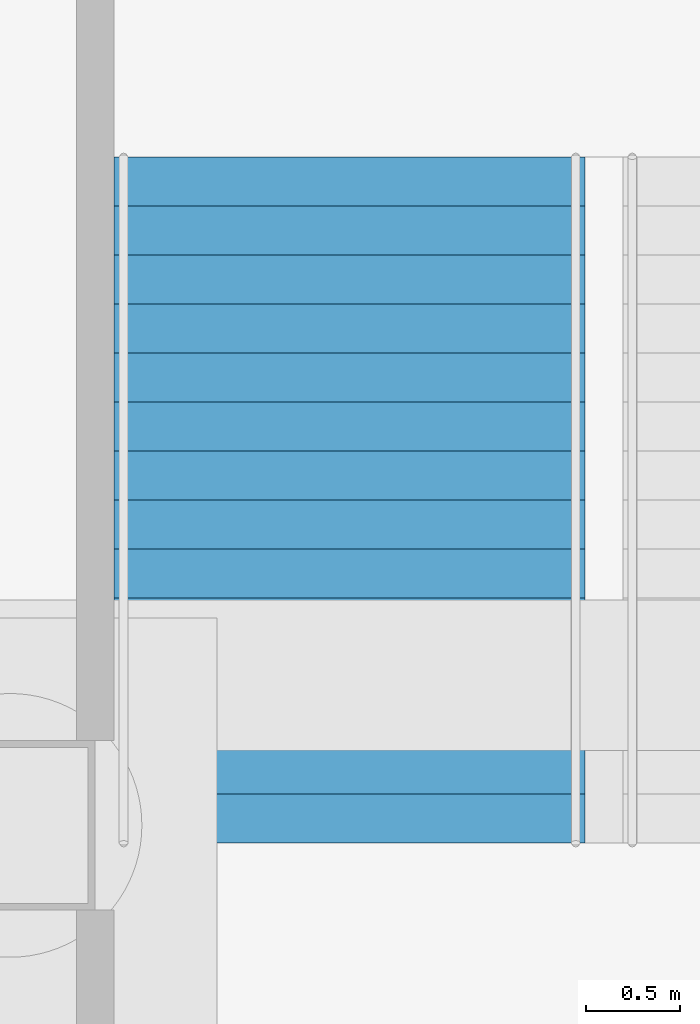
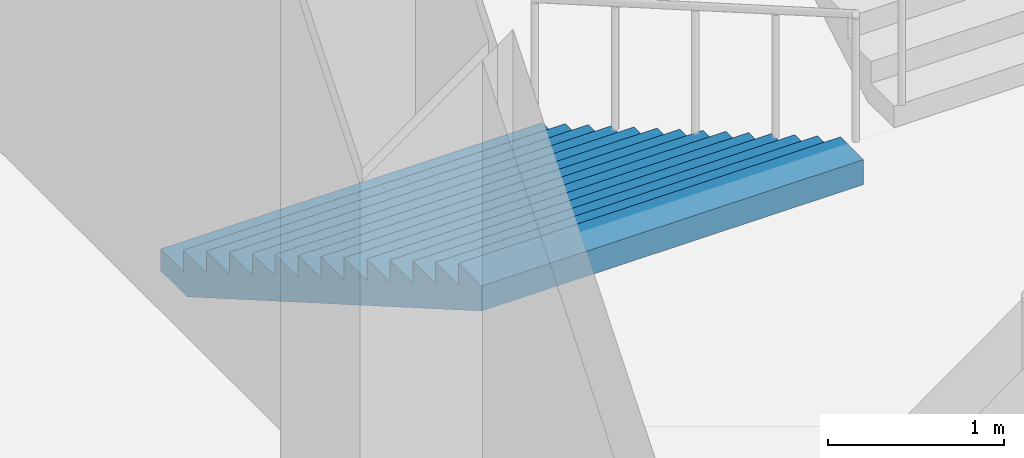
# One storey, part 64 of 113: 1 stair flight, 1 element without a shape of its own.
"""IFC4 building model written with IfcOpenShell, lengths in metres."""

from ifc_helpers import new_model, si_unit, direction, frame, origin, place, context, subcontext, project, spatial, triangles, material, type_object, element, aggregate, save


model = new_model("IFC4")

# Units and contexts
model_context = context("Model", 3, precision=1e-05, world=origin(), true_north=direction((0.0, 1.0)))
body_context = subcontext(model_context, "Body", "Model", "MODEL_VIEW")
ifc_project = project(units=[si_unit("LENGTHUNIT", "METRE"), si_unit("AREAUNIT", "SQUARE_METRE"), si_unit("VOLUMEUNIT", "CUBIC_METRE"), si_unit("PLANEANGLEUNIT", "RADIAN"), si_unit("MASSUNIT", "GRAM", prefix="KILO")], contexts=[model_context])

# Site, building, storey
site_placement = place(None, origin())
site = spatial("IfcSite", under=ifc_project, at=site_placement, CompositionType="ELEMENT")
building_placement = place(site_placement, origin())
building = spatial("IfcBuilding", under=site, at=building_placement, Name="Hakoniwa Tower and Hamabe Station Hall", CompositionType="ELEMENT")
storey_placement = place(building_placement, origin())
storey = spatial("IfcBuildingStorey", under=building, at=storey_placement, Name="L01", CompositionType="ELEMENT", Elevation=0.0)

# Stair, stair flight
ifc_material_1 = material(Name="Concrete C40", Category="concrete")
stair_type = type_object("IfcStairType", Name="STAIR 2500 15X150", PredefinedType="HALF_TURN_STAIR", material=ifc_material_1)
stair_placement = place(storey_placement, origin())
stair = element("IfcStair", 1, at=stair_placement, inside=storey, type_object=stair_type, Name="Escape stair PS1", PredefinedType="HALF_TURN_STAIR")
ifc_material_2 = material(Name="Concrete C40", Category="concrete")
stair_flight_type = type_object("IfcStairFlightType", Name="STAIR FLIGHT 2500", PredefinedType="STRAIGHT", material=ifc_material_2)
stair_flight_placement = place(storey_placement, frame((-47.800048828125, 22.35009765625, 0.0), z_axis=(0.0, 0.0, 1.0), x_axis=(0.0, -1.0, 0.0)))
stair_flight = element("IfcStairFlight", 2, at=stair_flight_placement, type_object=stair_flight_type, Name="PS1 flight 1", NumberOfRisers=15, NumberOfTreads=14, PredefinedType="STRAIGHT", RiserHeight=0.15, TreadLength=0.26, context=body_context, shape_type="Tessellation", body=[
    triangles([(0.0, 1.25, 0.0), (0.260009765625, 1.25, 0.0), (0.300048828125, 1.25, 0.0), (0.52001953125, 1.25, 0.126953125), (0.780029296875, 1.25, 0.27685546875), (1.0400390625, 1.25, 0.427001953125), (1.300048828125, 1.25, 0.576904296875), (1.56005859375, 1.25, 0.72705078125), (1.820068359375, 1.25, 0.876953125), (2.080078125, 1.25, 1.02685546875), (2.340087890625, 1.25, 1.177001953125), (2.60009765625, 1.25, 1.326904296875), (2.860107421875, 1.25, 1.47705078125), (3.1201171875, 1.25, 1.626953125), (3.3798828125, 1.25, 1.77685546875), (3.639892578125, 1.25, 1.927001953125), (3.639892578125, 1.25, 2.10009765625), (3.3798828125, 1.25, 2.10009765625), (3.3798828125, 1.25, 1.949951171875), (3.1201171875, 1.25, 1.949951171875), (3.1201171875, 1.25, 1.800048828125), (2.860107421875, 1.25, 1.800048828125), (2.860107421875, 1.25, 1.64990234375), (2.60009765625, 1.25, 1.64990234375), (2.60009765625, 1.25, 1.5), (2.340087890625, 1.25, 1.5), (2.340087890625, 1.25, 1.35009765625), (2.080078125, 1.25, 1.35009765625), (2.080078125, 1.25, 1.199951171875), (1.820068359375, 1.25, 1.199951171875), (1.820068359375, 1.25, 1.050048828125), (1.56005859375, 1.25, 1.050048828125), (1.56005859375, 1.25, 0.89990234375), (1.300048828125, 1.25, 0.89990234375), (1.300048828125, 1.25, 0.75), (1.0400390625, 1.25, 0.75), (1.0400390625, 1.25, 0.60009765625), (0.780029296875, 1.25, 0.60009765625), (0.780029296875, 1.25, 0.449951171875), (0.52001953125, 1.25, 0.449951171875), (0.52001953125, 1.25, 0.300048828125), (0.300048828125, 1.25, 0.300048828125), (0.260009765625, 1.25, 0.300048828125), (0.260009765625, 1.25, 0.14990234375), (0.0, 1.25, 0.14990234375), (0.0, 0.06005859375, 0.0), (0.260009765625, 0.06005859375, 0.0), (0.300048828125, 0.06005859375, 0.0), (0.52001953125, 0.06005859375, 0.126953125), (0.780029296875, 0.06005859375, 0.27685546875), (1.0400390625, 0.06005859375, 0.427001953125), (1.300048828125, 0.06005859375, 0.576904296875), (1.56005859375, 0.06005859375, 0.72705078125), (1.820068359375, 0.06005859375, 0.876953125), (2.080078125, 0.06005859375, 1.02685546875), (2.340087890625, 0.06005859375, 1.177001953125), (2.60009765625, 0.06005859375, 1.326904296875), (2.860107421875, 0.06005859375, 1.47705078125), (3.1201171875, 0.06005859375, 1.626953125), (3.3798828125, 0.06005859375, 1.77685546875), (3.639892578125, 0.06005859375, 1.927001953125), (3.639892578125, 0.06005859375, 2.10009765625), (3.3798828125, 0.06005859375, 2.10009765625), (3.3798828125, 0.06005859375, 1.949951171875), (3.1201171875, 0.06005859375, 1.949951171875), (3.1201171875, 0.06005859375, 1.800048828125), (2.860107421875, 0.06005859375, 1.800048828125), (2.860107421875, 0.06005859375, 1.64990234375), (2.60009765625, 0.06005859375, 1.64990234375), (2.60009765625, 0.06005859375, 1.5), (2.340087890625, 0.06005859375, 1.5), (2.340087890625, 0.06005859375, 1.35009765625), (2.080078125, 0.06005859375, 1.35009765625), (2.080078125, 0.06005859375, 1.199951171875), (1.820068359375, 0.06005859375, 1.199951171875), (1.820068359375, 0.06005859375, 1.050048828125), (1.56005859375, 0.06005859375, 1.050048828125), (1.56005859375, 0.06005859375, 0.89990234375), (1.300048828125, 0.06005859375, 0.89990234375), (1.300048828125, 0.06005859375, 0.75), (1.0400390625, 0.06005859375, 0.75), (1.0400390625, 0.06005859375, 0.60009765625), (0.780029296875, 0.06005859375, 0.60009765625), (0.780029296875, 0.06005859375, 0.449951171875), (0.52001953125, 0.06005859375, 0.449951171875), (0.52001953125, 0.06005859375, 0.300048828125), (0.300048828125, 0.06005859375, 0.300048828125), (0.260009765625, 0.06005859375, 0.300048828125), (0.260009765625, 0.06005859375, 0.14990234375), (0.0, 0.06005859375, 0.14990234375), (0.0, 0.02001953125, 0.0), (0.260009765625, 0.02001953125, 0.0), (0.300048828125, 0.02001953125, 0.0), (0.52001953125, 0.02001953125, 0.126953125), (0.780029296875, 0.02001953125, 0.27685546875), (1.0400390625, 0.02001953125, 0.427001953125), (1.300048828125, 0.02001953125, 0.576904296875), (1.56005859375, 0.02001953125, 0.72705078125), (1.820068359375, 0.02001953125, 0.876953125), (2.080078125, 0.02001953125, 1.02685546875), (2.340087890625, 0.02001953125, 1.177001953125), (2.60009765625, 0.02001953125, 1.326904296875), (2.860107421875, 0.02001953125, 1.47705078125), (3.1201171875, 0.02001953125, 1.626953125), (3.3798828125, 0.02001953125, 1.77685546875), (3.639892578125, 0.02001953125, 1.927001953125), (3.639892578125, 0.02001953125, 2.10009765625), (3.3798828125, 0.02001953125, 2.10009765625), (3.3798828125, 0.02001953125, 1.949951171875), (3.1201171875, 0.02001953125, 1.949951171875), (3.1201171875, 0.02001953125, 1.800048828125), (2.860107421875, 0.02001953125, 1.800048828125), (2.860107421875, 0.02001953125, 1.64990234375), (2.60009765625, 0.02001953125, 1.64990234375), (2.60009765625, 0.02001953125, 1.5), (2.340087890625, 0.02001953125, 1.5), (2.340087890625, 0.02001953125, 1.35009765625), (2.080078125, 0.02001953125, 1.35009765625), (2.080078125, 0.02001953125, 1.199951171875), (1.820068359375, 0.02001953125, 1.199951171875), (1.820068359375, 0.02001953125, 1.050048828125), (1.56005859375, 0.02001953125, 1.050048828125), (1.56005859375, 0.02001953125, 0.89990234375), (1.300048828125, 0.02001953125, 0.89990234375), (1.300048828125, 0.02001953125, 0.75), (1.0400390625, 0.02001953125, 0.75), (1.0400390625, 0.02001953125, 0.60009765625), (0.780029296875, 0.02001953125, 0.60009765625), (0.780029296875, 0.02001953125, 0.449951171875), (0.52001953125, 0.02001953125, 0.449951171875), (0.52001953125, 0.02001953125, 0.300048828125), (0.300048828125, 0.02001953125, 0.300048828125), (0.260009765625, 0.02001953125, 0.300048828125), (0.260009765625, 0.02001953125, 0.14990234375), (0.0, 0.02001953125, 0.14990234375), (0.0, -0.02001953125, 0.0), (0.260009765625, -0.02001953125, 0.0), (0.300048828125, -0.02001953125, 0.0), (0.52001953125, -0.02001953125, 0.126953125), (0.780029296875, -0.02001953125, 0.27685546875), (1.0400390625, -0.02001953125, 0.427001953125), (1.300048828125, -0.02001953125, 0.576904296875), (1.56005859375, -0.02001953125, 0.72705078125), (1.820068359375, -0.02001953125, 0.876953125), (2.080078125, -0.02001953125, 1.02685546875), (2.340087890625, -0.02001953125, 1.177001953125), (2.60009765625, -0.02001953125, 1.326904296875), (2.860107421875, -0.02001953125, 1.47705078125), (3.1201171875, -0.02001953125, 1.626953125), (3.3798828125, -0.02001953125, 1.77685546875), (3.639892578125, -0.02001953125, 1.927001953125), (3.639892578125, -0.02001953125, 2.10009765625), (3.3798828125, -0.02001953125, 2.10009765625), (3.3798828125, -0.02001953125, 1.949951171875), (3.1201171875, -0.02001953125, 1.949951171875), (3.1201171875, -0.02001953125, 1.800048828125), (2.860107421875, -0.02001953125, 1.800048828125), (2.860107421875, -0.02001953125, 1.64990234375), (2.60009765625, -0.02001953125, 1.64990234375), (2.60009765625, -0.02001953125, 1.5), (2.340087890625, -0.02001953125, 1.5), (2.340087890625, -0.02001953125, 1.35009765625), (2.080078125, -0.02001953125, 1.35009765625), (2.080078125, -0.02001953125, 1.199951171875), (1.820068359375, -0.02001953125, 1.199951171875), (1.820068359375, -0.02001953125, 1.050048828125), (1.56005859375, -0.02001953125, 1.050048828125), (1.56005859375, -0.02001953125, 0.89990234375), (1.300048828125, -0.02001953125, 0.89990234375), (1.300048828125, -0.02001953125, 0.75), (1.0400390625, -0.02001953125, 0.75), (1.0400390625, -0.02001953125, 0.60009765625), (0.780029296875, -0.02001953125, 0.60009765625), (0.780029296875, -0.02001953125, 0.449951171875), (0.52001953125, -0.02001953125, 0.449951171875), (0.52001953125, -0.02001953125, 0.300048828125), (0.300048828125, -0.02001953125, 0.300048828125), (0.260009765625, -0.02001953125, 0.300048828125), (0.260009765625, -0.02001953125, 0.14990234375), (0.0, -0.02001953125, 0.14990234375), (0.0, -0.06005859375, 0.0), (0.260009765625, -0.06005859375, 0.0), (0.300048828125, -0.06005859375, 0.0), (0.52001953125, -0.06005859375, 0.126953125), (0.780029296875, -0.06005859375, 0.27685546875), (1.0400390625, -0.06005859375, 0.427001953125), (1.300048828125, -0.06005859375, 0.576904296875), (1.56005859375, -0.06005859375, 0.72705078125), (1.820068359375, -0.06005859375, 0.876953125), (2.080078125, -0.06005859375, 1.02685546875), (2.340087890625, -0.06005859375, 1.177001953125), (2.60009765625, -0.06005859375, 1.326904296875), (2.860107421875, -0.06005859375, 1.47705078125), (3.1201171875, -0.06005859375, 1.626953125), (3.3798828125, -0.06005859375, 1.77685546875), (3.639892578125, -0.06005859375, 1.927001953125), (3.639892578125, -0.06005859375, 2.10009765625), (3.3798828125, -0.06005859375, 2.10009765625), (3.3798828125, -0.06005859375, 1.949951171875), (3.1201171875, -0.06005859375, 1.949951171875), (3.1201171875, -0.06005859375, 1.800048828125), (2.860107421875, -0.06005859375, 1.800048828125), (2.860107421875, -0.06005859375, 1.64990234375), (2.60009765625, -0.06005859375, 1.64990234375), (2.60009765625, -0.06005859375, 1.5), (2.340087890625, -0.06005859375, 1.5), (2.340087890625, -0.06005859375, 1.35009765625), (2.080078125, -0.06005859375, 1.35009765625), (2.080078125, -0.06005859375, 1.199951171875), (1.820068359375, -0.06005859375, 1.199951171875), (1.820068359375, -0.06005859375, 1.050048828125), (1.56005859375, -0.06005859375, 1.050048828125), (1.56005859375, -0.06005859375, 0.89990234375), (1.300048828125, -0.06005859375, 0.89990234375), (1.300048828125, -0.06005859375, 0.75), (1.0400390625, -0.06005859375, 0.75), (1.0400390625, -0.06005859375, 0.60009765625), (0.780029296875, -0.06005859375, 0.60009765625), (0.780029296875, -0.06005859375, 0.449951171875), (0.52001953125, -0.06005859375, 0.449951171875), (0.52001953125, -0.06005859375, 0.300048828125), (0.300048828125, -0.06005859375, 0.300048828125), (0.260009765625, -0.06005859375, 0.300048828125), (0.260009765625, -0.06005859375, 0.14990234375), (0.0, -0.06005859375, 0.14990234375), (0.0, -1.25, 0.0), (0.260009765625, -1.25, 0.0), (0.300048828125, -1.25, 0.0), (0.52001953125, -1.25, 0.126953125), (0.780029296875, -1.25, 0.27685546875), (1.0400390625, -1.25, 0.427001953125), (1.300048828125, -1.25, 0.576904296875), (1.56005859375, -1.25, 0.72705078125), (1.820068359375, -1.25, 0.876953125), (2.080078125, -1.25, 1.02685546875), (2.340087890625, -1.25, 1.177001953125), (2.60009765625, -1.25, 1.326904296875), (2.860107421875, -1.25, 1.47705078125), (3.1201171875, -1.25, 1.626953125), (3.3798828125, -1.25, 1.77685546875), (3.639892578125, -1.25, 1.927001953125), (3.639892578125, -1.25, 2.10009765625), (3.3798828125, -1.25, 2.10009765625), (3.3798828125, -1.25, 1.949951171875), (3.1201171875, -1.25, 1.949951171875), (3.1201171875, -1.25, 1.800048828125), (2.860107421875, -1.25, 1.800048828125), (2.860107421875, -1.25, 1.64990234375), (2.60009765625, -1.25, 1.64990234375), (2.60009765625, -1.25, 1.5), (2.340087890625, -1.25, 1.5), (2.340087890625, -1.25, 1.35009765625), (2.080078125, -1.25, 1.35009765625), (2.080078125, -1.25, 1.199951171875), (1.820068359375, -1.25, 1.199951171875), (1.820068359375, -1.25, 1.050048828125), (1.56005859375, -1.25, 1.050048828125), (1.56005859375, -1.25, 0.89990234375), (1.300048828125, -1.25, 0.89990234375), (1.300048828125, -1.25, 0.75), (1.0400390625, -1.25, 0.75), (1.0400390625, -1.25, 0.60009765625), (0.780029296875, -1.25, 0.60009765625), (0.780029296875, -1.25, 0.449951171875), (0.52001953125, -1.25, 0.449951171875), (0.52001953125, -1.25, 0.300048828125), (0.300048828125, -1.25, 0.300048828125), (0.260009765625, -1.25, 0.300048828125), (0.260009765625, -1.25, 0.14990234375), (0.0, -1.25, 0.14990234375)], [[2, 45, 44], [227, 269, 270], [2, 1, 45], [227, 270, 226], [3, 43, 42], [228, 267, 268], [3, 44, 43], [228, 268, 269], [3, 2, 44], [228, 269, 227], [4, 42, 41], [229, 266, 267], [4, 3, 42], [229, 267, 228], [5, 40, 39], [230, 264, 265], [5, 41, 40], [230, 265, 266], [5, 4, 41], [230, 266, 229], [6, 38, 37], [231, 262, 263], [6, 39, 38], [231, 263, 264], [6, 5, 39], [231, 264, 230], [7, 36, 35], [232, 260, 261], [7, 37, 36], [232, 261, 262], [7, 6, 37], [232, 262, 231], [8, 34, 33], [233, 258, 259], [8, 35, 34], [233, 259, 260], [8, 7, 35], [233, 260, 232], [9, 32, 31], [234, 256, 257], [9, 33, 32], [234, 257, 258], [9, 8, 33], [234, 258, 233], [10, 30, 29], [235, 254, 255], [10, 31, 30], [235, 255, 256], [10, 9, 31], [235, 256, 234], [11, 28, 27], [236, 252, 253], [11, 29, 28], [236, 253, 254], [11, 10, 29], [236, 254, 235], [12, 26, 25], [237, 250, 251], [12, 27, 26], [237, 251, 252], [12, 11, 27], [237, 252, 236], [13, 24, 23], [238, 248, 249], [13, 25, 24], [238, 249, 250], [13, 12, 25], [238, 250, 237], [14, 22, 21], [239, 246, 247], [14, 23, 22], [239, 247, 248], [14, 13, 23], [239, 248, 238], [15, 20, 19], [240, 244, 245], [15, 21, 20], [240, 245, 246], [15, 14, 21], [240, 246, 239], [16, 18, 17], [241, 242, 243], [16, 19, 18], [241, 243, 244], [16, 15, 19], [241, 244, 240], [1, 2, 47], [1, 47, 46], [46, 47, 92], [46, 92, 91], [91, 92, 137], [91, 137, 136], [136, 137, 182], [136, 182, 181], [181, 182, 227], [181, 227, 226], [2, 3, 48], [2, 48, 47], [47, 48, 93], [47, 93, 92], [92, 93, 138], [92, 138, 137], [137, 138, 183], [137, 183, 182], [182, 183, 228], [182, 228, 227], [3, 4, 49], [3, 49, 48], [48, 49, 94], [48, 94, 93], [93, 94, 139], [93, 139, 138], [138, 139, 184], [138, 184, 183], [183, 184, 229], [183, 229, 228], [4, 5, 50], [4, 50, 49], [49, 50, 95], [49, 95, 94], [94, 95, 140], [94, 140, 139], [139, 140, 185], [139, 185, 184], [184, 185, 230], [184, 230, 229], [5, 6, 51], [5, 51, 50], [50, 51, 96], [50, 96, 95], [95, 96, 141], [95, 141, 140], [140, 141, 186], [140, 186, 185], [185, 186, 231], [185, 231, 230], [6, 7, 52], [6, 52, 51], [51, 52, 97], [51, 97, 96], [96, 97, 142], [96, 142, 141], [141, 142, 187], [141, 187, 186], [186, 187, 232], [186, 232, 231], [7, 8, 53], [7, 53, 52], [52, 53, 98], [52, 98, 97], [97, 98, 143], [97, 143, 142], [142, 143, 188], [142, 188, 187], [187, 188, 233], [187, 233, 232], [8, 9, 54], [8, 54, 53], [53, 54, 99], [53, 99, 98], [98, 99, 144], [98, 144, 143], [143, 144, 189], [143, 189, 188], [188, 189, 234], [188, 234, 233], [9, 10, 55], [9, 55, 54], [54, 55, 100], [54, 100, 99], [99, 100, 145], [99, 145, 144], [144, 145, 190], [144, 190, 189], [189, 190, 235], [189, 235, 234], [10, 11, 56], [10, 56, 55], [55, 56, 101], [55, 101, 100], [100, 101, 146], [100, 146, 145], [145, 146, 191], [145, 191, 190], [190, 191, 236], [190, 236, 235], [11, 12, 57], [11, 57, 56], [56, 57, 102], [56, 102, 101], [101, 102, 147], [101, 147, 146], [146, 147, 192], [146, 192, 191], [191, 192, 237], [191, 237, 236], [12, 13, 58], [12, 58, 57], [57, 58, 103], [57, 103, 102], [102, 103, 148], [102, 148, 147], [147, 148, 193], [147, 193, 192], [192, 193, 238], [192, 238, 237], [13, 14, 59], [13, 59, 58], [58, 59, 104], [58, 104, 103], [103, 104, 149], [103, 149, 148], [148, 149, 194], [148, 194, 193], [193, 194, 239], [193, 239, 238], [14, 15, 60], [14, 60, 59], [59, 60, 105], [59, 105, 104], [104, 105, 150], [104, 150, 149], [149, 150, 195], [149, 195, 194], [194, 195, 240], [194, 240, 239], [15, 16, 61], [15, 61, 60], [60, 61, 106], [60, 106, 105], [105, 106, 151], [105, 151, 150], [150, 151, 196], [150, 196, 195], [195, 196, 241], [195, 241, 240], [16, 17, 62], [16, 62, 61], [61, 62, 107], [61, 107, 106], [106, 107, 152], [106, 152, 151], [151, 152, 197], [151, 197, 196], [196, 197, 242], [196, 242, 241], [17, 18, 63], [17, 63, 62], [62, 63, 108], [62, 108, 107], [107, 108, 153], [107, 153, 152], [152, 153, 198], [152, 198, 197], [197, 198, 243], [197, 243, 242], [18, 19, 64], [18, 64, 63], [63, 64, 109], [63, 109, 108], [108, 109, 154], [108, 154, 153], [153, 154, 199], [153, 199, 198], [198, 199, 244], [198, 244, 243], [19, 20, 65], [19, 65, 64], [64, 65, 110], [64, 110, 109], [109, 110, 155], [109, 155, 154], [154, 155, 200], [154, 200, 199], [199, 200, 245], [199, 245, 244], [20, 21, 66], [20, 66, 65], [65, 66, 111], [65, 111, 110], [110, 111, 156], [110, 156, 155], [155, 156, 201], [155, 201, 200], [200, 201, 246], [200, 246, 245], [21, 22, 67], [21, 67, 66], [66, 67, 112], [66, 112, 111], [111, 112, 157], [111, 157, 156], [156, 157, 202], [156, 202, 201], [201, 202, 247], [201, 247, 246], [22, 23, 68], [22, 68, 67], [67, 68, 113], [67, 113, 112], [112, 113, 158], [112, 158, 157], [157, 158, 203], [157, 203, 202], [202, 203, 248], [202, 248, 247], [23, 24, 69], [23, 69, 68], [68, 69, 114], [68, 114, 113], [113, 114, 159], [113, 159, 158], [158, 159, 204], [158, 204, 203], [203, 204, 249], [203, 249, 248], [24, 25, 70], [24, 70, 69], [69, 70, 115], [69, 115, 114], [114, 115, 160], [114, 160, 159], [159, 160, 205], [159, 205, 204], [204, 205, 250], [204, 250, 249], [25, 26, 71], [25, 71, 70], [70, 71, 116], [70, 116, 115], [115, 116, 161], [115, 161, 160], [160, 161, 206], [160, 206, 205], [205, 206, 251], [205, 251, 250], [26, 27, 72], [26, 72, 71], [71, 72, 117], [71, 117, 116], [116, 117, 162], [116, 162, 161], [161, 162, 207], [161, 207, 206], [206, 207, 252], [206, 252, 251], [27, 28, 73], [27, 73, 72], [72, 73, 118], [72, 118, 117], [117, 118, 163], [117, 163, 162], [162, 163, 208], [162, 208, 207], [207, 208, 253], [207, 253, 252], [28, 29, 74], [28, 74, 73], [73, 74, 119], [73, 119, 118], [118, 119, 164], [118, 164, 163], [163, 164, 209], [163, 209, 208], [208, 209, 254], [208, 254, 253], [29, 30, 75], [29, 75, 74], [74, 75, 120], [74, 120, 119], [119, 120, 165], [119, 165, 164], [164, 165, 210], [164, 210, 209], [209, 210, 255], [209, 255, 254], [30, 31, 76], [30, 76, 75], [75, 76, 121], [75, 121, 120], [120, 121, 166], [120, 166, 165], [165, 166, 211], [165, 211, 210], [210, 211, 256], [210, 256, 255], [31, 32, 77], [31, 77, 76], [76, 77, 122], [76, 122, 121], [121, 122, 167], [121, 167, 166], [166, 167, 212], [166, 212, 211], [211, 212, 257], [211, 257, 256], [32, 33, 78], [32, 78, 77], [77, 78, 123], [77, 123, 122], [122, 123, 168], [122, 168, 167], [167, 168, 213], [167, 213, 212], [212, 213, 258], [212, 258, 257], [33, 34, 79], [33, 79, 78], [78, 79, 124], [78, 124, 123], [123, 124, 169], [123, 169, 168], [168, 169, 214], [168, 214, 213], [213, 214, 259], [213, 259, 258], [34, 35, 80], [34, 80, 79], [79, 80, 125], [79, 125, 124], [124, 125, 170], [124, 170, 169], [169, 170, 215], [169, 215, 214], [214, 215, 260], [214, 260, 259], [35, 36, 81], [35, 81, 80], [80, 81, 126], [80, 126, 125], [125, 126, 171], [125, 171, 170], [170, 171, 216], [170, 216, 215], [215, 216, 261], [215, 261, 260], [36, 37, 82], [36, 82, 81], [81, 82, 127], [81, 127, 126], [126, 127, 172], [126, 172, 171], [171, 172, 217], [171, 217, 216], [216, 217, 262], [216, 262, 261], [37, 38, 83], [37, 83, 82], [82, 83, 128], [82, 128, 127], [127, 128, 173], [127, 173, 172], [172, 173, 218], [172, 218, 217], [217, 218, 263], [217, 263, 262], [38, 39, 84], [38, 84, 83], [83, 84, 129], [83, 129, 128], [128, 129, 174], [128, 174, 173], [173, 174, 219], [173, 219, 218], [218, 219, 264], [218, 264, 263], [39, 40, 85], [39, 85, 84], [84, 85, 130], [84, 130, 129], [129, 130, 175], [129, 175, 174], [174, 175, 220], [174, 220, 219], [219, 220, 265], [219, 265, 264], [40, 41, 86], [40, 86, 85], [85, 86, 131], [85, 131, 130], [130, 131, 176], [130, 176, 175], [175, 176, 221], [175, 221, 220], [220, 221, 266], [220, 266, 265], [41, 42, 87], [41, 87, 86], [86, 87, 132], [86, 132, 131], [131, 132, 177], [131, 177, 176], [176, 177, 222], [176, 222, 221], [221, 222, 267], [221, 267, 266], [42, 43, 88], [42, 88, 87], [87, 88, 133], [87, 133, 132], [132, 133, 178], [132, 178, 177], [177, 178, 223], [177, 223, 222], [222, 223, 268], [222, 268, 267], [43, 44, 89], [43, 89, 88], [88, 89, 134], [88, 134, 133], [133, 134, 179], [133, 179, 178], [178, 179, 224], [178, 224, 223], [223, 224, 269], [223, 269, 268], [44, 45, 90], [44, 90, 89], [89, 90, 135], [89, 135, 134], [134, 135, 180], [134, 180, 179], [179, 180, 225], [179, 225, 224], [224, 225, 270], [224, 270, 269], [45, 1, 46], [45, 46, 90], [90, 46, 91], [90, 91, 135], [135, 91, 136], [135, 136, 180], [180, 136, 181], [180, 181, 225], [225, 181, 226], [225, 226, 270]], closed=True),
])
aggregate(stair, [stair_flight])

save(model, "model.ifc")
